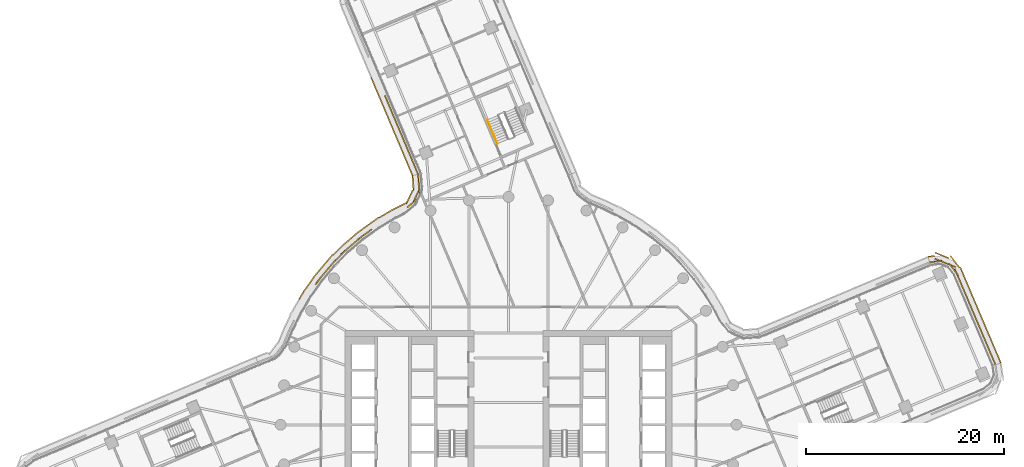
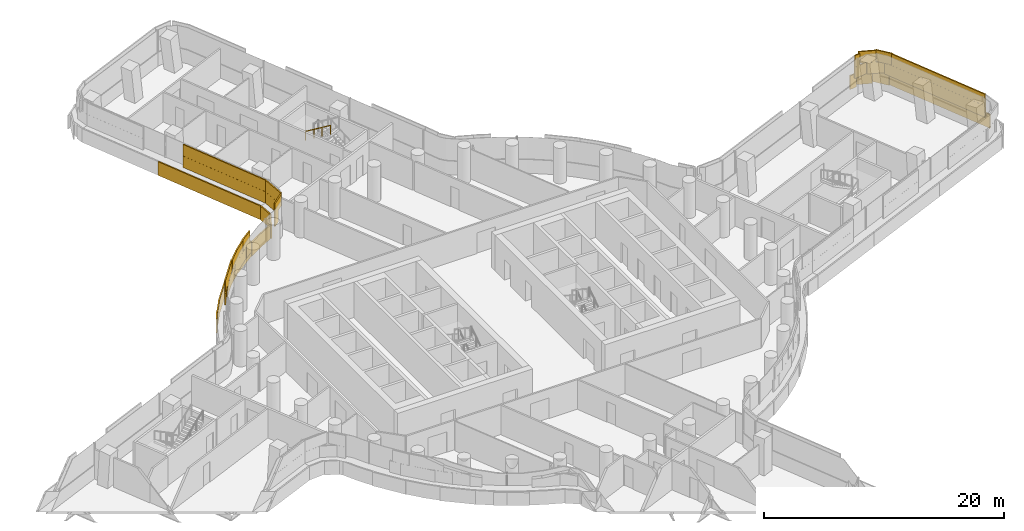
# One storey, part 33 of 35: 3 coverings, 1 railing.
"""IFC4 building model written with IfcOpenShell, lengths in metres."""

from ifc_helpers import new_model, si_unit, direction, frame, origin, origin_2d, place, context, subcontext, project, spatial, rectangle, circle, extrude, material, layer, layer_set, type_object, element, save


model = new_model("IFC4")

# Units and contexts
model_context = context("Model", 3, precision=1e-05, world=origin(), true_north=direction((0.0, 1.0)))
body_context = subcontext(model_context, "Body", "Model", "MODEL_VIEW")
ifc_project = project(units=[si_unit("LENGTHUNIT", "METRE"), si_unit("AREAUNIT", "SQUARE_METRE"), si_unit("VOLUMEUNIT", "CUBIC_METRE"), si_unit("PLANEANGLEUNIT", "RADIAN"), si_unit("MASSUNIT", "GRAM", prefix="KILO")], contexts=[model_context])

# Site, building, storey
site_placement = place(None, origin())
site = spatial("IfcSite", under=ifc_project, at=site_placement, CompositionType="ELEMENT")
building_placement = place(site_placement, origin())
building = spatial("IfcBuilding", under=site, at=building_placement, Name="Tamarind Cross Interchange Tower", CompositionType="ELEMENT")
storey_placement = place(building_placement, frame((0.0, 0.0, 117.25)))
storey = spatial("IfcBuildingStorey", under=building, at=storey_placement, Name="L28", CompositionType="ELEMENT", Elevation=117.25)

# Railing
ifc_material_1 = material(Name="Stair handrail")
railing_type = type_object("IfcRailingType", Name="Stair handrail", PredefinedType="HANDRAIL", material=ifc_material_1)
railing_placement = place(storey_placement, frame((-2.140625, 30.759521484375, 2.04541015625)))
element("IfcRailing", 1, at=railing_placement, inside=storey, type_object=railing_type, Name="L28 ST4 stair handrail 2", PredefinedType="HANDRAIL", context=body_context, shape_type="SweptSolid", body=[
    extrude(circle(Radius=0.02392578125, at=origin_2d()), frame((0.0, 0.0, 0.8759765625), z_axis=(0.326596606657, -0.769885340625, 0.548280237479), x_axis=(0.920590988888, 0.390528143899, 0.0)), (0.0, 0.0, 1.0), 3.10888671875),
    extrude(circle(Radius=0.02099609375, at=origin_2d()), origin(), (0.0, 0.0, 1.0), 0.851806640625),
    extrude(circle(Radius=0.02099609375, at=origin_2d()), frame((0.33837890625, -0.7978515625, 0.568115234375)), (0.0, 0.0, 1.0), 0.851806640625),
    extrude(circle(Radius=0.02099609375, at=origin_2d()), frame((0.677001953125, -1.595703125, 1.136474609375)), (0.0, 0.0, 1.0), 0.851806640625),
    extrude(circle(Radius=0.02099609375, at=origin_2d()), frame((1.015380859375, -2.3935546875, 1.70458984375)), (0.0, 0.0, 1.0), 0.851806640625),
])

# Coverings
ifc_material_2 = material(Name="Terracotta", Category="masonry")
ifc_layer = layer(ifc_material_2, 0.1201171875)
ifc_layer_set = layer_set([ifc_layer], Name="Terracotta")
covering_type = type_object("IfcCoveringType", Name="Terracotta baguette screen unit", PredefinedType="MOLDING", material=ifc_layer_set)
covering_1_placement = place(storey_placement, origin())
element("IfcCovering", 2, at=covering_1_placement, inside=storey, type_object=covering_type, Name="SCR-L28-08-00", PredefinedType="MOLDING", context=body_context, shape_type="SweptSolid", body=[
    extrude(rectangle(XDim=1.510009765625, YDim=0.1201171875, at=origin_2d()), frame((48.8369140625, 6.75439453125, 1.404052734375), z_axis=(0.0, 0.0, 1.0), x_axis=(-0.390499768049, 0.920603025823, 0.0)), (0.0, 0.0, 1.0), 1.1669921875),
    extrude(rectangle(XDim=1.52001953125, YDim=0.1201171875, at=origin_2d()), frame((48.251220703125, 8.13525390625, 1.404052734375), z_axis=(0.0, 0.0, 1.0), x_axis=(-0.390499768049, 0.920603025823, 0.0)), (0.0, 0.0, 1.0), 1.1669921875),
    extrude(rectangle(XDim=1.52001953125, YDim=0.1201171875, at=origin_2d()), frame((47.66552734375, 9.51611328125, 1.404052734375), z_axis=(0.0, 0.0, 1.0), x_axis=(-0.390499768049, 0.920603025823, 0.0)), (0.0, 0.0, 1.0), 1.1669921875),
    extrude(rectangle(XDim=1.52001953125, YDim=0.1201171875, at=origin_2d()), frame((47.079833984375, 10.89697265625, 1.404052734375), z_axis=(0.0, 0.0, 1.0), x_axis=(-0.390499768049, 0.920603025823, 0.0)), (0.0, 0.0, 1.0), 1.1669921875),
    extrude(rectangle(XDim=1.52001953125, YDim=0.1201171875, at=origin_2d()), frame((46.494140625, 12.27783203125, 1.404052734375), z_axis=(0.0, 0.0, 1.0), x_axis=(-0.390499768049, 0.920603025823, 0.0)), (0.0, 0.0, 1.0), 1.1669921875),
    extrude(rectangle(XDim=1.52001953125, YDim=0.1201171875, at=origin_2d()), frame((45.908203125, 13.65869140625, 1.404052734375), z_axis=(0.0, 0.0, 1.0), x_axis=(-0.390499768049, 0.920603025823, 0.0)), (0.0, 0.0, 1.0), 1.1669921875),
    extrude(rectangle(XDim=1.52001953125, YDim=0.1201171875, at=origin_2d()), frame((45.322509765625, 15.039794921875, 1.404052734375), z_axis=(0.0, 0.0, 1.0), x_axis=(-0.390499768049, 0.920603025823, 0.0)), (0.0, 0.0, 1.0), 1.1669921875),
    extrude(rectangle(XDim=1.52001953125, YDim=0.1201171875, at=origin_2d()), frame((44.41259765625, 16.194091796875, 1.404052734375), z_axis=(0.0, 0.0, 1.0), x_axis=(-0.927089676379, 0.374839608301, 0.0)), (0.0, 0.0, 1.0), 1.1669921875),
    extrude(rectangle(XDim=1.259521484375, YDim=0.1201171875, at=origin_2d()), frame((43.10986328125, 16.480224609375, 1.404052734375), z_axis=(0.0, 0.0, 1.0), x_axis=(-0.990303015481, -0.138924215056, 0.0)), (0.0, 0.0, 1.0), 1.1669921875),
    extrude(rectangle(XDim=0.760009765625, YDim=0.1201171875, at=origin_2d()), frame((48.9833984375, 6.408935546875, 2.5791015625), z_axis=(0.0, 0.0, 1.0), x_axis=(-0.390499768049, 0.920603025823, 0.0)), (0.0, 0.0, 1.0), 1.1669921875),
    extrude(rectangle(XDim=1.52001953125, YDim=0.1201171875, at=origin_2d()), frame((48.544189453125, 7.44482421875, 2.5791015625), z_axis=(0.0, 0.0, 1.0), x_axis=(-0.390499768049, 0.920603025823, 0.0)), (0.0, 0.0, 1.0), 1.1669921875),
    extrude(rectangle(XDim=1.52001953125, YDim=0.1201171875, at=origin_2d()), frame((47.95849609375, 8.82568359375, 2.5791015625), z_axis=(0.0, 0.0, 1.0), x_axis=(-0.390499768049, 0.920603025823, 0.0)), (0.0, 0.0, 1.0), 1.1669921875),
    extrude(rectangle(XDim=1.52001953125, YDim=0.1201171875, at=origin_2d()), frame((47.37255859375, 10.20654296875, 2.5791015625), z_axis=(0.0, 0.0, 1.0), x_axis=(-0.390499768049, 0.920603025823, 0.0)), (0.0, 0.0, 1.0), 1.1669921875),
    extrude(rectangle(XDim=1.52001953125, YDim=0.1201171875, at=origin_2d()), frame((46.786865234375, 11.58740234375, 2.5791015625), z_axis=(0.0, 0.0, 1.0), x_axis=(-0.390499768049, 0.920603025823, 0.0)), (0.0, 0.0, 1.0), 1.1669921875),
    extrude(rectangle(XDim=1.52001953125, YDim=0.1201171875, at=origin_2d()), frame((46.201171875, 12.96826171875, 2.5791015625), z_axis=(0.0, 0.0, 1.0), x_axis=(-0.390499768049, 0.920603025823, 0.0)), (0.0, 0.0, 1.0), 1.1669921875),
    extrude(rectangle(XDim=1.52001953125, YDim=0.1201171875, at=origin_2d()), frame((45.615478515625, 14.349365234375, 2.5791015625), z_axis=(0.0, 0.0, 1.0), x_axis=(-0.390499768049, 0.920603025823, 0.0)), (0.0, 0.0, 1.0), 1.1669921875),
    extrude(rectangle(XDim=1.52001953125, YDim=0.1201171875, at=origin_2d()), frame((44.922607421875, 15.6669921875, 2.5791015625), z_axis=(0.0, 0.0, 1.0), x_axis=(-0.61546340718, 0.788165461323, 0.0)), (0.0, 0.0, 1.0), 1.1669921875),
    extrude(rectangle(XDim=1.52001953125, YDim=0.1201171875, at=origin_2d()), frame((43.71728515625, 16.475341796875, 2.5791015625), z_axis=(0.0, 0.0, 1.0), x_axis=(-0.927089676379, 0.374839608301, 0.0)), (0.0, 0.0, 1.0), 1.1669921875),
    extrude(rectangle(XDim=0.509521484375, YDim=0.1201171875, at=origin_2d()), frame((42.738525390625, 16.427978515625, 2.5791015625), z_axis=(0.0, 0.0, 1.0), x_axis=(-0.990303015481, -0.138924215056, 0.0)), (0.0, 0.0, 1.0), 1.1669921875),
    extrude(rectangle(XDim=1.510009765625, YDim=0.1201171875, at=origin_2d()), frame((49.39306640625, 6.91357421875, 0.00390625), z_axis=(0.0, 0.0, 1.0), x_axis=(-0.390499768049, 0.920603025823, 0.0)), (0.0, 0.0, 1.0), 1.39208984375),
    extrude(rectangle(XDim=1.52001953125, YDim=0.1201171875, at=origin_2d()), frame((48.809326171875, 8.289794921875, 0.00390625), z_axis=(0.0, 0.0, 1.0), x_axis=(-0.390499768049, 0.920603025823, 0.0)), (0.0, 0.0, 1.0), 1.39208984375),
    extrude(rectangle(XDim=1.52001953125, YDim=0.1201171875, at=origin_2d()), frame((48.223388671875, 9.670654296875, 0.00390625), z_axis=(0.0, 0.0, 1.0), x_axis=(-0.390499768049, 0.920603025823, 0.0)), (0.0, 0.0, 1.0), 1.39208984375),
    extrude(rectangle(XDim=1.52001953125, YDim=0.1201171875, at=origin_2d()), frame((47.6376953125, 11.051513671875, 0.00390625), z_axis=(0.0, 0.0, 1.0), x_axis=(-0.390499768049, 0.920603025823, 0.0)), (0.0, 0.0, 1.0), 1.39208984375),
    extrude(rectangle(XDim=1.52001953125, YDim=0.1201171875, at=origin_2d()), frame((47.052001953125, 12.432373046875, 0.00390625), z_axis=(0.0, 0.0, 1.0), x_axis=(-0.390499768049, 0.920603025823, 0.0)), (0.0, 0.0, 1.0), 1.39208984375),
    extrude(rectangle(XDim=1.52001953125, YDim=0.1201171875, at=origin_2d()), frame((46.46630859375, 13.8134765625, 0.00390625), z_axis=(0.0, 0.0, 1.0), x_axis=(-0.390499768049, 0.920603025823, 0.0)), (0.0, 0.0, 1.0), 1.39208984375),
    extrude(rectangle(XDim=1.52001953125, YDim=0.1201171875, at=origin_2d()), frame((45.88037109375, 15.1943359375, 0.00390625), z_axis=(0.0, 0.0, 1.0), x_axis=(-0.390499768049, 0.920603025823, 0.0)), (0.0, 0.0, 1.0), 1.39208984375),
    extrude(rectangle(XDim=1.52001953125, YDim=0.1201171875, at=origin_2d()), frame((45.052734375, 16.432861328125, 0.00390625), z_axis=(0.0, 0.0, 1.0), x_axis=(-0.61546340718, 0.788165461323, 0.0)), (0.0, 0.0, 1.0), 1.39208984375),
    extrude(rectangle(XDim=1.52001953125, YDim=0.1201171875, at=origin_2d()), frame((43.732421875, 17.088134765625, 0.00390625), z_axis=(0.0, 0.0, 1.0), x_axis=(-0.927089676379, 0.374839608301, 0.0)), (0.0, 0.0, 1.0), 1.39208984375),
    extrude(rectangle(XDim=0.676513671875, YDim=0.1201171875, at=origin_2d()), frame((42.671875, 16.998291015625, 0.00390625), z_axis=(0.0, 0.0, 1.0), x_axis=(-0.990303015481, -0.138924215056, 0.0)), (0.0, 0.0, 1.0), 1.39208984375),
])
covering_2_placement = place(storey_placement, origin())
element("IfcCovering", 3, at=covering_2_placement, inside=storey, type_object=covering_type, Name="SCR-L28-13-01", PredefinedType="MOLDING", context=body_context, shape_type="SweptSolid", body=[
    extrude(rectangle(XDim=0.45751953125, YDim=0.1201171875, at=origin_2d()), frame((-12.396484375, 33.02392578125, 1.404052734375), z_axis=(0.0, 0.0, 1.0), x_axis=(0.388938701154, -0.921263635853, 0.0)), (0.0, 0.0, 1.0), 1.1669921875),
    extrude(rectangle(XDim=1.52001953125, YDim=0.1201171875, at=origin_2d()), frame((-12.017822265625, 32.126953125, 1.404052734375), z_axis=(0.0, 0.0, 1.0), x_axis=(0.388938701154, -0.921263635853, 0.0)), (0.0, 0.0, 1.0), 1.1669921875),
    extrude(rectangle(XDim=1.52001953125, YDim=0.1201171875, at=origin_2d()), frame((-11.434326171875, 30.744873046875, 1.404052734375), z_axis=(0.0, 0.0, 1.0), x_axis=(0.388938701154, -0.921263635853, 0.0)), (0.0, 0.0, 1.0), 1.1669921875),
    extrude(rectangle(XDim=1.52001953125, YDim=0.1201171875, at=origin_2d()), frame((-10.850830078125, 29.363037109375, 1.404052734375), z_axis=(0.0, 0.0, 1.0), x_axis=(0.388938701154, -0.921263635853, 0.0)), (0.0, 0.0, 1.0), 1.1669921875),
    extrude(rectangle(XDim=1.52001953125, YDim=0.1201171875, at=origin_2d()), frame((-10.267578125, 27.981201171875, 1.404052734375), z_axis=(0.0, 0.0, 1.0), x_axis=(0.388938701154, -0.921263635853, 0.0)), (0.0, 0.0, 1.0), 1.1669921875),
    extrude(rectangle(XDim=1.52001953125, YDim=0.1201171875, at=origin_2d()), frame((-9.68408203125, 26.599365234375, 1.404052734375), z_axis=(0.0, 0.0, 1.0), x_axis=(0.388938701154, -0.921263635853, 0.0)), (0.0, 0.0, 1.0), 1.1669921875),
    extrude(rectangle(XDim=0.69384765625, YDim=0.1201171875, at=origin_2d()), frame((-9.259521484375, 25.59326171875, 1.404052734375), z_axis=(0.0, 0.0, 1.0), x_axis=(0.388938701154, -0.921263635853, 0.0)), (0.0, 0.0, 1.0), 1.1669921875),
    extrude(rectangle(XDim=1.20751953125, YDim=0.1201171875, at=origin_2d()), frame((-12.250732421875, 32.678466796875, 2.5791015625), z_axis=(0.0, 0.0, 1.0), x_axis=(0.388938701154, -0.921263635853, 0.0)), (0.0, 0.0, 1.0), 1.1669921875),
    extrude(rectangle(XDim=1.52001953125, YDim=0.1201171875, at=origin_2d()), frame((-11.72607421875, 31.435791015625, 2.5791015625), z_axis=(0.0, 0.0, 1.0), x_axis=(0.388938701154, -0.921263635853, 0.0)), (0.0, 0.0, 1.0), 1.1669921875),
    extrude(rectangle(XDim=1.52001953125, YDim=0.1201171875, at=origin_2d()), frame((-11.142578125, 30.053955078125, 2.5791015625), z_axis=(0.0, 0.0, 1.0), x_axis=(0.388938701154, -0.921263635853, 0.0)), (0.0, 0.0, 1.0), 1.1669921875),
    extrude(rectangle(XDim=1.52001953125, YDim=0.1201171875, at=origin_2d()), frame((-10.559326171875, 28.672119140625, 2.5791015625), z_axis=(0.0, 0.0, 1.0), x_axis=(0.388938701154, -0.921263635853, 0.0)), (0.0, 0.0, 1.0), 1.1669921875),
    extrude(rectangle(XDim=1.52001953125, YDim=0.1201171875, at=origin_2d()), frame((-9.975830078125, 27.290283203125, 2.5791015625), z_axis=(0.0, 0.0, 1.0), x_axis=(0.388938701154, -0.921263635853, 0.0)), (0.0, 0.0, 1.0), 1.1669921875),
    extrude(rectangle(XDim=1.44384765625, YDim=0.1201171875, at=origin_2d()), frame((-9.4052734375, 25.938720703125, 2.5791015625), z_axis=(0.0, 0.0, 1.0), x_axis=(0.388938701154, -0.921263635853, 0.0)), (0.0, 0.0, 1.0), 1.1669921875),
    extrude(rectangle(XDim=1.06591796875, YDim=0.1201171875, at=origin_2d()), frame((-13.654296875, 34.52734375, 0.00390625), z_axis=(0.0, 0.0, 1.0), x_axis=(0.388938701154, -0.921263635853, 0.0)), (0.0, 0.0, 1.0), 1.39208984375),
    extrude(rectangle(XDim=1.52001953125, YDim=0.1201171875, at=origin_2d()), frame((-13.1591796875, 33.354736328125, 0.00390625), z_axis=(0.0, 0.0, 1.0), x_axis=(0.388938701154, -0.921263635853, 0.0)), (0.0, 0.0, 1.0), 1.39208984375),
    extrude(rectangle(XDim=1.52001953125, YDim=0.1201171875, at=origin_2d()), frame((-12.57568359375, 31.97265625, 0.00390625), z_axis=(0.0, 0.0, 1.0), x_axis=(0.388938701154, -0.921263635853, 0.0)), (0.0, 0.0, 1.0), 1.39208984375),
    extrude(rectangle(XDim=1.52001953125, YDim=0.1201171875, at=origin_2d()), frame((-11.992431640625, 30.5908203125, 0.00390625), z_axis=(0.0, 0.0, 1.0), x_axis=(0.388938701154, -0.921263635853, 0.0)), (0.0, 0.0, 1.0), 1.39208984375),
    extrude(rectangle(XDim=1.52001953125, YDim=0.1201171875, at=origin_2d()), frame((-11.408935546875, 29.208984375, 0.00390625), z_axis=(0.0, 0.0, 1.0), x_axis=(0.388938701154, -0.921263635853, 0.0)), (0.0, 0.0, 1.0), 1.39208984375),
    extrude(rectangle(XDim=1.52001953125, YDim=0.1201171875, at=origin_2d()), frame((-10.825439453125, 27.8271484375, 0.00390625), z_axis=(0.0, 0.0, 1.0), x_axis=(0.388938701154, -0.921263635853, 0.0)), (0.0, 0.0, 1.0), 1.39208984375),
    extrude(rectangle(XDim=1.52001953125, YDim=0.1201171875, at=origin_2d()), frame((-10.2421875, 26.445068359375, 0.00390625), z_axis=(0.0, 0.0, 1.0), x_axis=(0.388938701154, -0.921263635853, 0.0)), (0.0, 0.0, 1.0), 1.39208984375),
    extrude(rectangle(XDim=0.673828125, YDim=0.1201171875, at=origin_2d()), frame((-9.8232421875, 25.453125, 0.00390625), z_axis=(0.0, 0.0, 1.0), x_axis=(0.388938701154, -0.921263635853, 0.0)), (0.0, 0.0, 1.0), 1.39208984375),
])
covering_3_placement = place(storey_placement, origin())
element("IfcCovering", 4, at=covering_3_placement, inside=storey, type_object=covering_type, Name="SCR-L28-14-00", PredefinedType="MOLDING", context=body_context, shape_type="SweptSolid", body=[
    extrude(rectangle(XDim=1.510009765625, YDim=0.1201171875, at=origin_2d()), frame((-9.072998046875, 24.5302734375, 1.404052734375), z_axis=(0.0, 0.0, 1.0), x_axis=(0.071261135101, -0.997457693651, 0.0)), (0.0, 0.0, 1.0), 1.1669921875),
    extrude(rectangle(XDim=1.52001953125, YDim=0.1201171875, at=origin_2d()), frame((-9.308349609375, 23.09814453125, 1.404052734375), z_axis=(0.0, 0.0, 1.0), x_axis=(-0.426925525948, -0.904286788189, 0.0)), (0.0, 0.0, 1.0), 1.1669921875),
    extrude(rectangle(XDim=0.775390625, YDim=0.1201171875, at=origin_2d()), frame((-9.92724609375, 22.179443359375, 1.404052734375), z_axis=(0.0, 0.0, 1.0), x_axis=(-0.774762920704, -0.632251861763, 0.0)), (0.0, 0.0, 1.0), 1.1669921875),
    extrude(rectangle(XDim=1.044677734375, YDim=0.1201171875, at=origin_2d()), frame((-14.203857421875, 19.427490234375, 1.404052734375), z_axis=(0.0, 0.0, 1.0), x_axis=(-0.811340475102, -0.584573890505, 0.0)), (0.0, 0.0, 1.0), 1.1669921875),
    extrude(rectangle(XDim=1.52001953125, YDim=0.1201171875, at=origin_2d()), frame((-15.20947265625, 18.658203125, 1.404052734375), z_axis=(0.0, 0.0, 1.0), x_axis=(-0.760295606781, -0.64957723968, 0.0)), (0.0, 0.0, 1.0), 1.1669921875),
    extrude(rectangle(XDim=1.52001953125, YDim=0.1201171875, at=origin_2d()), frame((-16.35009765625, 17.683837890625, 1.404052734375), z_axis=(0.0, 0.0, 1.0), x_axis=(-0.760295606781, -0.64957723968, 0.0)), (0.0, 0.0, 1.0), 1.1669921875),
    extrude(rectangle(XDim=1.52001953125, YDim=0.1201171875, at=origin_2d()), frame((-17.408935546875, 16.62158203125, 1.404052734375), z_axis=(0.0, 0.0, 1.0), x_axis=(-0.704057148523, -0.710143317658, 0.0)), (0.0, 0.0, 1.0), 1.1669921875),
    extrude(rectangle(XDim=1.52001953125, YDim=0.1201171875, at=origin_2d()), frame((-18.406494140625, 15.503173828125, 1.404052734375), z_axis=(0.0, 0.0, 1.0), x_axis=(-0.643009266048, -0.765858396687, 0.0)), (0.0, 0.0, 1.0), 1.1669921875),
    extrude(rectangle(XDim=0.99560546875, YDim=0.1201171875, at=origin_2d()), frame((-19.19189453125, 14.540771484375, 1.404052734375), z_axis=(0.0, 0.0, 1.0), x_axis=(-0.577568978284, -0.816341886298, 0.0)), (0.0, 0.0, 1.0), 1.1669921875),
    extrude(rectangle(XDim=0.760009765625, YDim=0.1201171875, at=origin_2d()), frame((-9.099609375, 24.904296875, 2.5791015625), z_axis=(0.0, 0.0, 1.0), x_axis=(0.071261135101, -0.997457693651, 0.0)), (0.0, 0.0, 1.0), 1.1669921875),
    extrude(rectangle(XDim=1.52001953125, YDim=0.1201171875, at=origin_2d()), frame((-9.01953125, 23.7822265625, 2.5791015625), z_axis=(0.0, 0.0, 1.0), x_axis=(0.071261135101, -0.997457693651, 0.0)), (0.0, 0.0, 1.0), 1.1669921875),
    extrude(rectangle(XDim=1.52001953125, YDim=0.1201171875, at=origin_2d()), frame((-9.630615234375, 22.421630859375, 2.5791015625), z_axis=(0.0, 0.0, 1.0), x_axis=(-0.774762920704, -0.632251861763, 0.0)), (0.0, 0.0, 1.0), 1.1669921875),
    extrude(rectangle(XDim=1.52001953125, YDim=0.1201171875, at=origin_2d()), frame((-14.62353515625, 19.125, 2.5791015625), z_axis=(0.0, 0.0, 1.0), x_axis=(-0.811340475102, -0.584573890505, 0.0)), (0.0, 0.0, 1.0), 1.1669921875),
    extrude(rectangle(XDim=1.52001953125, YDim=0.1201171875, at=origin_2d()), frame((-15.77978515625, 18.1708984375, 2.5791015625), z_axis=(0.0, 0.0, 1.0), x_axis=(-0.760295606781, -0.64957723968, 0.0)), (0.0, 0.0, 1.0), 1.1669921875),
    extrude(rectangle(XDim=1.52001953125, YDim=0.1201171875, at=origin_2d()), frame((-16.880859375, 17.154296875, 2.5791015625), z_axis=(0.0, 0.0, 1.0), x_axis=(-0.704057148523, -0.710143317658, 0.0)), (0.0, 0.0, 1.0), 1.1669921875),
    extrude(rectangle(XDim=1.52001953125, YDim=0.1201171875, at=origin_2d()), frame((-17.92431640625, 16.077392578125, 2.5791015625), z_axis=(0.0, 0.0, 1.0), x_axis=(-0.643009266048, -0.765858396687, 0.0)), (0.0, 0.0, 1.0), 1.1669921875),
    extrude(rectangle(XDim=1.52001953125, YDim=0.1201171875, at=origin_2d()), frame((-18.888916015625, 14.9287109375, 2.5791015625), z_axis=(0.0, 0.0, 1.0), x_axis=(-0.643009266048, -0.765858396687, 0.0)), (0.0, 0.0, 1.0), 1.1669921875),
    extrude(rectangle(XDim=1.510009765625, YDim=0.1201171875, at=origin_2d()), frame((-9.638427734375, 24.3896484375, 0.00390625), z_axis=(0.0, 0.0, 1.0), x_axis=(0.071261135101, -0.997457693651, 0.0)), (0.0, 0.0, 1.0), 1.39208984375),
    extrude(rectangle(XDim=1.52001953125, YDim=0.1201171875, at=origin_2d()), frame((-9.996337890625, 22.985107421875, 0.00390625), z_axis=(0.0, 0.0, 1.0), x_axis=(-0.426925525948, -0.904286788189, 0.0)), (0.0, 0.0, 1.0), 1.39208984375),
    extrude(rectangle(XDim=1.52001953125, YDim=0.1201171875, at=origin_2d()), frame((-11.098876953125, 22.002685546875, 0.00390625), z_axis=(0.0, 0.0, 1.0), x_axis=(-0.894620288048, -0.446827192786, 0.0)), (0.0, 0.0, 1.0), 1.39208984375),
    extrude(rectangle(XDim=1.52001953125, YDim=0.1201171875, at=origin_2d()), frame((-12.4150390625, 21.28564453125, 0.00390625), z_axis=(0.0, 0.0, 1.0), x_axis=(-0.856843065292, -0.515577308909, 0.0)), (0.0, 0.0, 1.0), 1.39208984375),
    extrude(rectangle(XDim=1.52001953125, YDim=0.1201171875, at=origin_2d()), frame((-13.69384765625, 20.50244140625, 0.00390625), z_axis=(0.0, 0.0, 1.0), x_axis=(-0.811340475102, -0.584573890505, 0.0)), (0.0, 0.0, 1.0), 1.39208984375),
    extrude(rectangle(XDim=1.52001953125, YDim=0.1201171875, at=origin_2d()), frame((-14.910888671875, 19.62548828125, 0.00390625), z_axis=(0.0, 0.0, 1.0), x_axis=(-0.811340475102, -0.584573890505, 0.0)), (0.0, 0.0, 1.0), 1.39208984375),
    extrude(rectangle(XDim=1.52001953125, YDim=0.1201171875, at=origin_2d()), frame((-16.0712890625, 18.6767578125, 0.00390625), z_axis=(0.0, 0.0, 1.0), x_axis=(-0.760295606781, -0.64957723968, 0.0)), (0.0, 0.0, 1.0), 1.39208984375),
    extrude(rectangle(XDim=1.52001953125, YDim=0.1201171875, at=origin_2d()), frame((-17.179931640625, 17.66796875, 0.00390625), z_axis=(0.0, 0.0, 1.0), x_axis=(-0.704057148523, -0.710143317658, 0.0)), (0.0, 0.0, 1.0), 1.39208984375),
    extrude(rectangle(XDim=1.52001953125, YDim=0.1201171875, at=origin_2d()), frame((-18.234130859375, 16.60107421875, 0.00390625), z_axis=(0.0, 0.0, 1.0), x_axis=(-0.643009266048, -0.765858396687, 0.0)), (0.0, 0.0, 1.0), 1.39208984375),
    extrude(rectangle(XDim=1.52001953125, YDim=0.1201171875, at=origin_2d()), frame((-19.19873046875, 15.452392578125, 0.00390625), z_axis=(0.0, 0.0, 1.0), x_axis=(-0.643009266048, -0.765858396687, 0.0)), (0.0, 0.0, 1.0), 1.39208984375),
    extrude(rectangle(XDim=1.52001953125, YDim=0.1201171875, at=origin_2d()), frame((-20.098388671875, 14.25341796875, 0.00390625), z_axis=(0.0, 0.0, 1.0), x_axis=(-0.577568978284, -0.816341886298, 0.0)), (0.0, 0.0, 1.0), 1.39208984375),
    extrude(rectangle(XDim=1.137939453125, YDim=0.1201171875, at=origin_2d()), frame((-20.836181640625, 13.173095703125, 0.00390625), z_axis=(0.0, 0.0, 1.0), x_axis=(-0.508183308752, -0.861248933065, 0.0)), (0.0, 0.0, 1.0), 1.39208984375),
])

save(model, "model.ifc")
